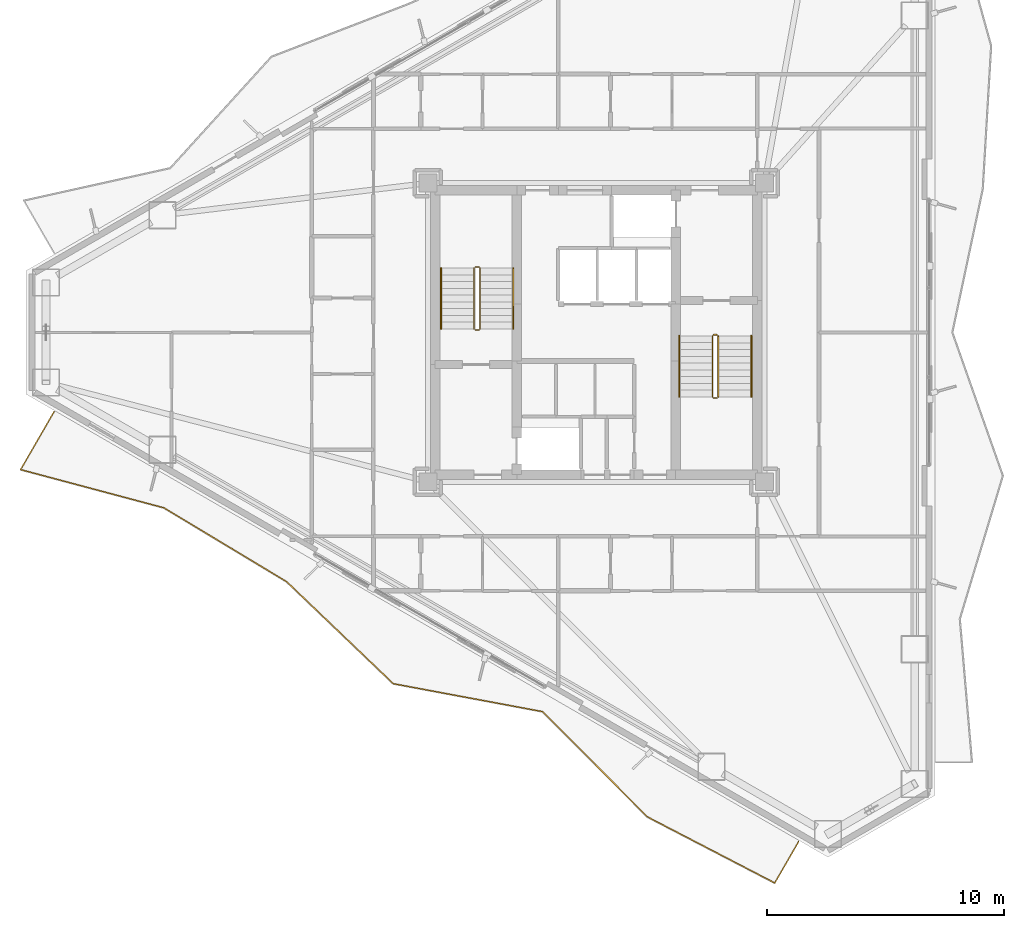
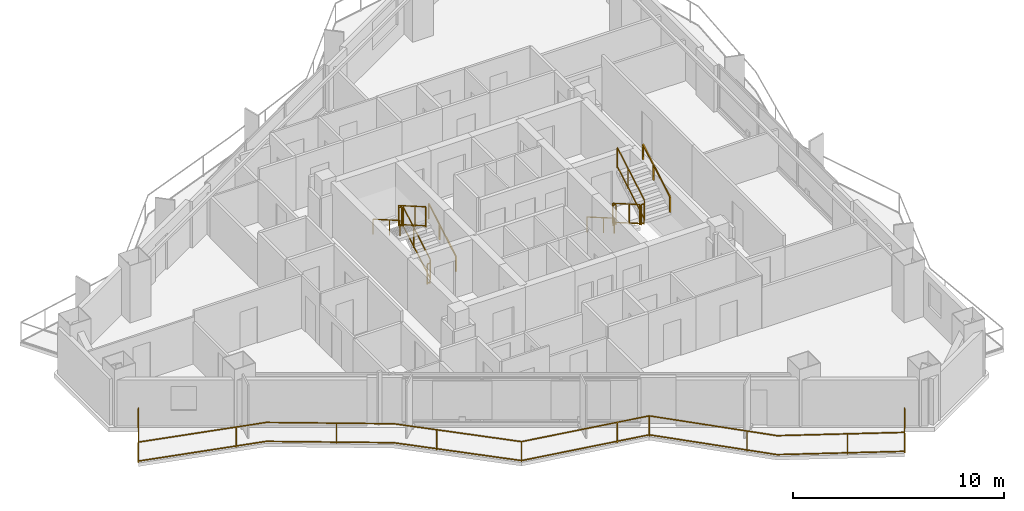
# One storey, part 21 of 22: 13 railings.
"""IFC4 building model written with IfcOpenShell, lengths in metres."""

import ifcopenshell
import ifcopenshell.guid

model = None  # the IFC model being written
_history = None  # IfcOwnerHistory: only IFC2X3 demands one
_inside = {}  # id of a spatial element -> (the spatial element, [elements in it])
_under = {}  # id of a project, library or spatial element -> (it, [spatial elements below it])
_declared = {}  # id of a project -> (the project, [libraries it declares])
_typed = {}  # id of a type object -> (the type object, [elements of that type])
_made_of = {}  # id of a material, layer set ... -> (it, [elements and type objects made of it])


def new_model(schema):
    """Start an empty IFC model of exactly this schema.

    Asked for "IFC4X3", IfcOpenShell would pick the latest addendum, in which some entities
    have other attributes; the version numbers below select the first issue.
    IFC2X3 requires an IfcOwnerHistory on every rooted entity: one is made here for all.
    """
    global model, _history
    if schema == "IFC4X3":
        model = ifcopenshell.file(schema_version=(4, 3, 0, 0))
    else:
        model = ifcopenshell.file(schema=schema)
    _inside.clear()
    _under.clear()
    _declared.clear()
    _typed.clear()
    _made_of.clear()
    _history = None
    if model.schema == "IFC2X3":
        org = make("IfcOrganization", Name="unknown")
        user = make(
            "IfcPersonAndOrganization",
            ThePerson=make("IfcPerson", FamilyName="unknown"),
            TheOrganization=org,
        )
        app = make(
            "IfcApplication",
            ApplicationDeveloper=org,
            Version="unknown",
            ApplicationFullName="unknown",
            ApplicationIdentifier="unknown",
        )
        _history = make(
            "IfcOwnerHistory",
            OwningUser=user,
            OwningApplication=app,
            ChangeAction="ADDED",
            CreationDate=0,
        )
    return model


def make(cls, **values):
    """One entity of the class cls with the attributes given. An attribute that is None is left unset."""
    return model.create_entity(
        cls, **{name: value for name, value in values.items() if value is not None}
    )


def rooted(cls, **values):
    """An entity with a GlobalId (a new one), such as an element, a storey or a relation."""
    return make(cls, GlobalId=ifcopenshell.guid.new(), OwnerHistory=_history, **values)


def si_unit(unit_type, name, prefix=None):
    """IfcSIUnit, for example si_unit("LENGTHUNIT", "METRE", prefix="MILLI")."""
    return make("IfcSIUnit", UnitType=unit_type, Prefix=prefix, Name=name)


def assignment(units):
    """IfcUnitAssignment: the units of a project."""
    return None if units is None else make("IfcUnitAssignment", Units=units)


def point(xyz):
    """IfcCartesianPoint."""
    return None if xyz is None else make("IfcCartesianPoint", Coordinates=xyz)


def direction(xyz):
    """IfcDirection."""
    return None if xyz is None else make("IfcDirection", DirectionRatios=xyz)


def frame(location, z_axis=None, x_axis=None):
    """IfcAxis2Placement3D, a coordinate frame: its origin and axes. An axis left out is left unset."""
    return make(
        "IfcAxis2Placement3D",
        Location=point(location),
        Axis=direction(z_axis),
        RefDirection=direction(x_axis),
    )


def frame_2d(location, x_axis=None):
    """IfcAxis2Placement2D, a coordinate frame in the plane: its origin and x axis."""
    return make(
        "IfcAxis2Placement2D", Location=point(location), RefDirection=direction(x_axis)
    )


def origin():
    """The frame at (0, 0, 0) with its axes left unset."""
    return frame((0.0, 0.0, 0.0))


def origin_2d():
    """The frame at (0, 0) in the plane with its x axis left unset."""
    return frame_2d((0.0, 0.0))


def place(relative_to, where):
    """IfcLocalPlacement: puts the frame where relative to a parent placement (None: the world)."""
    return make(
        "IfcLocalPlacement", PlacementRelTo=relative_to, RelativePlacement=where
    )


def context(
    kind, dimensions, precision=None, world=None, true_north=None, identifier=None
):
    """IfcGeometricRepresentationContext, for example the 3D "Model" context."""
    return make(
        "IfcGeometricRepresentationContext",
        ContextIdentifier=identifier,
        ContextType=kind,
        CoordinateSpaceDimension=dimensions,
        Precision=precision,
        WorldCoordinateSystem=world,
        TrueNorth=true_north,
    )


def subcontext(parent, identifier, kind, view, scale=None):
    """IfcGeometricRepresentationSubContext, for example "Body" below "Model"."""
    return make(
        "IfcGeometricRepresentationSubContext",
        ContextIdentifier=identifier,
        ContextType=kind,
        ParentContext=parent,
        TargetScale=scale,
        TargetView=view,
    )


def project(units=None, contexts=None):
    """IfcProject with its units and contexts."""
    return rooted(
        "IfcProject",
        Name="project",
        RepresentationContexts=contexts,
        UnitsInContext=assignment(units),
    )


def spatial(cls, under=None, at=None, **own):
    """A site, building, storey or space (cls), placed at a placement, below another one or the project."""
    s = rooted(cls, ObjectPlacement=at, **own)
    if under is not None:
        _under.setdefault(under.id(), (under, []))[1].append(s)
    return s


def profile(cls, at=None, kind="AREA", **sizes):
    """A parametric profile (cls). Its sizes go by their IFC names, for example OverallWidth=200.0."""
    return make(cls, ProfileType=kind, Position=at, **sizes)


def rectangle(**sizes):
    """IfcRectangleProfileDef."""
    return profile("IfcRectangleProfileDef", **sizes)


def extrude(swept, where, along, depth):
    """IfcExtrudedAreaSolid: the profile swept, set in the frame where, extruded along a direction by depth."""
    return make(
        "IfcExtrudedAreaSolid",
        SweptArea=swept,
        Position=where,
        ExtrudedDirection=direction(along),
        Depth=depth,
    )


def shape(context_of_items, identifier, shape_type, items):
    """IfcShapeRepresentation: the items that make up one representation, for example the "Body"."""
    return make(
        "IfcShapeRepresentation",
        ContextOfItems=context_of_items,
        RepresentationIdentifier=identifier,
        RepresentationType=shape_type,
        Items=items,
    )


def material(Name=None, Category=None):
    """IfcMaterial."""
    return make("IfcMaterial", Name=Name, Category=Category)


def made_of(thing, what):
    """Note that an element or type object is made of a material, layer set ...; save() writes the relation."""
    if what is not None:
        _made_of.setdefault(what.id(), (what, []))[1].append(thing)
    return thing


def type_object(cls, material=None, **own):
    """A type object (cls), such as IfcWallType, which elements share."""
    return made_of(rooted(cls, **own), material)


def element(
    cls,
    number,
    at=None,
    inside=None,
    cuts=None,
    type_object=None,
    material=None,
    context=None,
    identifier="Body",
    shape_type=None,
    held_by="IfcProductDefinitionShape",
    body=None,
    shapes=None,
    **own,
):
    """One element of the class cls, such as IfcWall. Its Tag is "e" and its number.

    at: its placement. inside: the storey or other place that contains it. cuts: it is an
    opening in that element (IfcRelVoidsElement). A single representation is given by context,
    identifier, shape_type and body (its items); several are given by shapes. held_by: the class
    of the entity that holds the representations. save() writes the other relations.
    """
    e = rooted(cls, Tag="e%d" % number, ObjectPlacement=at, **own)
    if body is not None:
        shapes = [shape(context, identifier, shape_type, body)]
    if shapes is not None:
        e.Representation = make(held_by, Representations=shapes)
    if inside is not None:
        _inside.setdefault(inside.id(), (inside, []))[1].append(e)
    if cuts is not None:
        rooted(
            "IfcRelVoidsElement", RelatingBuildingElement=cuts, RelatedOpeningElement=e
        )
    if type_object is not None:
        _typed.setdefault(type_object.id(), (type_object, []))[1].append(e)
    return made_of(e, material)


def aggregate(whole, parts):
    """IfcRelAggregates: a whole, such as a stair, and the parts it consists of."""
    return rooted("IfcRelAggregates", RelatingObject=whole, RelatedObjects=parts)


def save(model, path):
    """Write the relations noted so far, then the file.

    IfcRelAggregates (storeys below a building ...), IfcRelContainedInSpatialStructure (elements
    in a storey), IfcRelDefinesByType, IfcRelAssociatesMaterial and IfcRelDeclares: one each for
    every whole, place, type object, material and project.
    """
    for whole, parts in _under.values():
        aggregate(whole, parts)
    for where, things in _inside.values():
        rooted(
            "IfcRelContainedInSpatialStructure",
            RelatedElements=things,
            RelatingStructure=where,
        )
    for kind, things in _typed.values():
        rooted("IfcRelDefinesByType", RelatedObjects=things, RelatingType=kind)
    for what, things in _made_of.values():
        rooted("IfcRelAssociatesMaterial", RelatedObjects=things, RelatingMaterial=what)
    for by, libraries in _declared.values():
        rooted("IfcRelDeclares", RelatingContext=by, RelatedDefinitions=libraries)
    model.write(path)


model = new_model("IFC4")

# Units and contexts
model_context = context("Model", 3, precision=1e-05, world=origin(), true_north=direction((0.0, 1.0)))
body_context = subcontext(model_context, "Body", "Model", "MODEL_VIEW")
ifc_project = project(units=[si_unit("LENGTHUNIT", "METRE"), si_unit("AREAUNIT", "SQUARE_METRE"), si_unit("VOLUMEUNIT", "CUBIC_METRE"), si_unit("PLANEANGLEUNIT", "RADIAN"), si_unit("MASSUNIT", "GRAM", prefix="KILO")], contexts=[model_context])

# Site, building, storey
site_placement = place(None, origin())
site = spatial("IfcSite", under=ifc_project, at=site_placement, CompositionType="ELEMENT")
building_placement = place(site_placement, origin())
building = spatial("IfcBuilding", under=site, at=building_placement, Name="Mersakhor Tower and Convention Hall", CompositionType="ELEMENT")
storey_placement = place(building_placement, frame((0.0, 0.0, 99.89990234375)))
storey = spatial("IfcBuildingStorey", under=building, at=storey_placement, Name="L27", CompositionType="ELEMENT", Elevation=99.89990234375)

# Railings
ifc_material_1 = material(Name="Powder-coated galvanised steel and laminated glass balustrade", Category="steel")
railing_type_1 = type_object("IfcRailingType", Name="RL-BAL-1200", PredefinedType="BALUSTRADE", material=ifc_material_1)
railing_1_placement = place(storey_placement, frame((6.1240234375, 23.4052734375, 0.0)))
element("IfcRailing", 1, at=railing_1_placement, inside=storey, type_object=railing_type_1, Name="L27 Sinusoidal Balcony Balustrade F3", PredefinedType="BALUSTRADE", context=body_context, shape_type="SweptSolid", body=[
    extrude(rectangle(XDim=0.048095703125, YDim=0.048095703125, at=origin_2d()), frame((0.0, 0.0, 1.17578125), z_axis=(-0.499947271324, -0.866055844559, 0.0), x_axis=(0.866055844559, -0.499947271324, 0.0)), (0.0, 0.0, 1.0), 2.820068359375),
    extrude(rectangle(XDim=0.048095703125, YDim=0.048095703125, at=origin_2d()), frame((0.0, 0.0, 0.080078125), z_axis=(-0.499947271324, -0.866055844559, 0.0), x_axis=(0.866055844559, -0.499947271324, 0.0)), (0.0, 0.0, 1.0), 2.820068359375),
    extrude(rectangle(XDim=0.048095703125, YDim=0.048095703125, at=origin_2d()), frame((-1.409912109375, -2.4423828125, 1.17578125), z_axis=(0.966227820604, -0.25768934532, 0.0), x_axis=(0.25768934532, 0.966227820604, 0.0)), (0.0, 0.0, 1.0), 6.261474609375),
    extrude(rectangle(XDim=0.048095703125, YDim=0.048095703125, at=origin_2d()), frame((-1.409912109375, -2.4423828125, 0.080078125), z_axis=(0.966227820604, -0.25768934532, 0.0), x_axis=(0.25768934532, 0.966227820604, 0.0)), (0.0, 0.0, 1.0), 6.261474609375),
    extrude(rectangle(XDim=0.048095703125, YDim=0.048095703125, at=origin_2d()), frame((4.64013671875, -4.055908203125, 1.17578125), z_axis=(0.856754644688, -0.515724227475, 0.0), x_axis=(0.515724227475, 0.856754644688, 0.0)), (0.0, 0.0, 1.0), 6.047119140625),
    extrude(rectangle(XDim=0.048095703125, YDim=0.048095703125, at=origin_2d()), frame((4.64013671875, -4.055908203125, 0.080078125), z_axis=(0.856754644688, -0.515724227475, 0.0), x_axis=(0.515724227475, 0.856754644688, 0.0)), (0.0, 0.0, 1.0), 6.047119140625),
    extrude(rectangle(XDim=0.048095703125, YDim=0.048095703125, at=origin_2d()), frame((9.821044921875, -7.174560546875, 1.17578125), z_axis=(0.722699783625, -0.691162081387, 0.0), x_axis=(0.691162081387, 0.722699783625, 0.0)), (0.0, 0.0, 1.0), 6.223876953125),
    extrude(rectangle(XDim=0.048095703125, YDim=0.048095703125, at=origin_2d()), frame((9.821044921875, -7.174560546875, 0.080078125), z_axis=(0.722699783625, -0.691162081387, 0.0), x_axis=(0.691162081387, 0.722699783625, 0.0)), (0.0, 0.0, 1.0), 6.223876953125),
    extrude(rectangle(XDim=0.048095703125, YDim=0.048095703125, at=origin_2d()), frame((14.319091796875, -11.476318359375, 1.17578125), z_axis=(0.982934219197, -0.183957388357, 0.0), x_axis=(0.183957388357, 0.982934219197, 0.0)), (0.0, 0.0, 1.0), 6.41015625),
    extrude(rectangle(XDim=0.048095703125, YDim=0.048095703125, at=origin_2d()), frame((14.319091796875, -11.476318359375, 0.080078125), z_axis=(0.982934219197, -0.183957388357, 0.0), x_axis=(0.183957388357, 0.982934219197, 0.0)), (0.0, 0.0, 1.0), 6.41015625),
    extrude(rectangle(XDim=0.048095703125, YDim=0.048095703125, at=origin_2d()), frame((20.619873046875, -12.655517578125, 1.17578125), z_axis=(0.705389657667, -0.708819744968, 0.0), x_axis=(0.708819744968, 0.705389657667, 0.0)), (0.0, 0.0, 1.0), 6.263427734375),
    extrude(rectangle(XDim=0.048095703125, YDim=0.048095703125, at=origin_2d()), frame((20.619873046875, -12.655517578125, 0.080078125), z_axis=(0.705389657667, -0.708819744968, 0.0), x_axis=(0.708819744968, 0.705389657667, 0.0)), (0.0, 0.0, 1.0), 6.263427734375),
    extrude(rectangle(XDim=0.048095703125, YDim=0.048095703125, at=origin_2d()), frame((25.0380859375, -17.09521484375, 1.17578125), z_axis=(0.887664158638, -0.460491413024, 0.0), x_axis=(0.460491413024, 0.887664158638, 0.0)), (0.0, 0.0, 1.0), 6.052490234375),
    extrude(rectangle(XDim=0.048095703125, YDim=0.048095703125, at=origin_2d()), frame((25.0380859375, -17.09521484375, 0.080078125), z_axis=(0.887664158638, -0.460491413024, 0.0), x_axis=(0.460491413024, 0.887664158638, 0.0)), (0.0, 0.0, 1.0), 6.052490234375),
    extrude(rectangle(XDim=0.048095703125, YDim=0.048095703125, at=origin_2d()), frame((30.41064453125, -19.88232421875, 1.17578125), z_axis=(0.499960381356, 0.866048276411, 0.0), x_axis=(-0.866048276411, 0.499960381356, 0.0)), (0.0, 0.0, 1.0), 2.013427734375),
    extrude(rectangle(XDim=0.048095703125, YDim=0.048095703125, at=origin_2d()), frame((30.41064453125, -19.88232421875, 0.080078125), z_axis=(0.499960381356, 0.866048276411, 0.0), x_axis=(-0.866048276411, 0.499960381356, 0.0)), (0.0, 0.0, 1.0), 2.013427734375),
    extrude(rectangle(XDim=0.0419921875, YDim=0.0419921875, at=origin_2d()), origin(), (0.0, 0.0, 1.0), 1.15185546875),
    extrude(rectangle(XDim=0.0419921875, YDim=0.0419921875, at=origin_2d()), frame((-1.409912109375, -2.4423828125, 0.0)), (0.0, 0.0, 1.0), 1.15185546875),
    extrude(rectangle(XDim=0.0419921875, YDim=0.0419921875, at=origin_2d()), frame((3.22802734375, -3.67919921875, 0.0)), (0.0, 0.0, 1.0), 1.15185546875),
    extrude(rectangle(XDim=0.0419921875, YDim=0.0419921875, at=origin_2d()), frame((7.50048828125, -5.777587890625, 0.0)), (0.0, 0.0, 1.0), 1.15185546875),
    extrude(rectangle(XDim=0.0419921875, YDim=0.0419921875, at=origin_2d()), frame((11.33251953125, -8.6201171875, 0.0)), (0.0, 0.0, 1.0), 1.15185546875),
    extrude(rectangle(XDim=0.0419921875, YDim=0.0419921875, at=origin_2d()), frame((14.319091796875, -11.476318359375, 0.0)), (0.0, 0.0, 1.0), 1.15185546875),
    extrude(rectangle(XDim=0.0419921875, YDim=0.0419921875, at=origin_2d()), frame((19.037109375, -12.359375, 0.0)), (0.0, 0.0, 1.0), 1.15185546875),
    extrude(rectangle(XDim=0.0419921875, YDim=0.0419921875, at=origin_2d()), frame((20.619873046875, -12.655517578125, 0.0)), (0.0, 0.0, 1.0), 1.15185546875),
    extrude(rectangle(XDim=0.0419921875, YDim=0.0419921875, at=origin_2d()), frame((24.005859375, -16.057861328125, 0.0)), (0.0, 0.0, 1.0), 1.15185546875),
    extrude(rectangle(XDim=0.0419921875, YDim=0.0419921875, at=origin_2d()), frame((27.999755859375, -18.631591796875, 0.0)), (0.0, 0.0, 1.0), 1.15185546875),
    extrude(rectangle(XDim=0.0419921875, YDim=0.0419921875, at=origin_2d()), frame((30.41064453125, -19.88232421875, 0.0)), (0.0, 0.0, 1.0), 1.15185546875),
    extrude(rectangle(XDim=0.0419921875, YDim=0.0419921875, at=origin_2d()), frame((31.417236328125, -18.138671875, 0.0)), (0.0, 0.0, 1.0), 1.15185546875),
])
ifc_material_2 = material(Name="Brushed stainless steel handrail", Category="steel")
railing_type_2 = type_object("IfcRailingType", Name="RL-HR-900", PredefinedType="HANDRAIL", material=ifc_material_2)
railing_2_placement = place(storey_placement, frame((25.5, 26.89990234375, 0.1650390625)))
element("IfcRailing", 2, at=railing_2_placement, inside=storey, type_object=railing_type_2, Name="L27 ST-1 stair handrail 1", PredefinedType="HANDRAIL", context=body_context, shape_type="SweptSolid", body=[
    extrude(rectangle(XDim=0.048095703125, YDim=0.048095703125, at=origin_2d()), frame((0.0, 0.0, 0.8759765625), z_axis=(0.0, 0.865426285481, 0.501036270542), x_axis=(-1.0, 0.0, 0.0)), (0.0, 0.0, 1.0), 2.964111328125),
    extrude(rectangle(XDim=0.0419921875, YDim=0.0419921875, at=origin_2d()), origin(), (0.0, 0.0, 1.0), 0.851806640625),
    extrude(rectangle(XDim=0.0419921875, YDim=0.0419921875, at=origin_2d()), frame((0.0, 1.557861328125, 0.90185546875)), (0.0, 0.0, 1.0), 0.851806640625),
    extrude(rectangle(XDim=0.0419921875, YDim=0.0419921875, at=origin_2d()), frame((0.0, 2.565185546875, 1.485107421875)), (0.0, 0.0, 1.0), 0.851806640625),
])
railing_3_placement = place(storey_placement, frame((22.449951171875, 29.465087890625, 1.815185546875)))
element("IfcRailing", 3, at=railing_3_placement, inside=storey, type_object=railing_type_2, Name="L27 ST-1 stair handrail 2", PredefinedType="HANDRAIL", context=body_context, shape_type="SweptSolid", body=[
    extrude(rectangle(XDim=0.048095703125, YDim=0.048095703125, at=origin_2d()), frame((0.0, 0.0, 0.8759765625), z_axis=(0.0, -0.865461999751, 0.500974577186), x_axis=(1.0, 0.0, 0.0)), (0.0, 0.0, 1.0), 2.9638671875),
    extrude(rectangle(XDim=0.0419921875, YDim=0.0419921875, at=origin_2d()), origin(), (0.0, 0.0, 1.0), 0.851806640625),
    extrude(rectangle(XDim=0.0419921875, YDim=0.0419921875, at=origin_2d()), frame((0.0, -1.557861328125, 0.90185546875)), (0.0, 0.0, 1.0), 0.851806640625),
    extrude(rectangle(XDim=0.0419921875, YDim=0.0419921875, at=origin_2d()), frame((0.0, -2.565185546875, 1.48486328125)), (0.0, 0.0, 1.0), 0.851806640625),
])
railing_4_placement = place(storey_placement, frame((32.5, 26.60009765625, 0.1650390625)))
element("IfcRailing", 4, at=railing_4_placement, inside=storey, type_object=railing_type_2, Name="L27 ST-2 stair handrail 1", PredefinedType="HANDRAIL", context=body_context, shape_type="SweptSolid", body=[
    extrude(rectangle(XDim=0.048095703125, YDim=0.048095703125, at=origin_2d()), frame((0.0, 0.0, 0.8759765625), z_axis=(0.0, -0.865426285481, 0.501036270542), x_axis=(1.0, 0.0, 0.0)), (0.0, 0.0, 1.0), 2.964111328125),
    extrude(rectangle(XDim=0.0419921875, YDim=0.0419921875, at=origin_2d()), origin(), (0.0, 0.0, 1.0), 0.851806640625),
    extrude(rectangle(XDim=0.0419921875, YDim=0.0419921875, at=origin_2d()), frame((0.0, -1.557861328125, 0.90185546875)), (0.0, 0.0, 1.0), 0.851806640625),
    extrude(rectangle(XDim=0.0419921875, YDim=0.0419921875, at=origin_2d()), frame((0.0, -2.565185546875, 1.485107421875)), (0.0, 0.0, 1.0), 0.851806640625),
])
railing_5_placement = place(storey_placement, frame((35.550048828125, 24.034912109375, 1.815185546875)))
element("IfcRailing", 5, at=railing_5_placement, inside=storey, type_object=railing_type_2, Name="L27 ST-2 stair handrail 2", PredefinedType="HANDRAIL", context=body_context, shape_type="SweptSolid", body=[
    extrude(rectangle(XDim=0.048095703125, YDim=0.048095703125, at=origin_2d()), frame((0.0, 0.0, 0.8759765625), z_axis=(0.0, 0.865461999751, 0.500974577186), x_axis=(-1.0, 0.0, 0.0)), (0.0, 0.0, 1.0), 2.9638671875),
    extrude(rectangle(XDim=0.0419921875, YDim=0.0419921875, at=origin_2d()), origin(), (0.0, 0.0, 1.0), 0.851806640625),
    extrude(rectangle(XDim=0.0419921875, YDim=0.0419921875, at=origin_2d()), frame((0.0, 1.557861328125, 0.90185546875)), (0.0, 0.0, 1.0), 0.851806640625),
    extrude(rectangle(XDim=0.0419921875, YDim=0.0419921875, at=origin_2d()), frame((0.0, 2.565185546875, 1.48486328125)), (0.0, 0.0, 1.0), 0.851806640625),
])
ifc_material_3 = material(Name="Painted steel stair balustrade S355", Category="steel")
railing_type_3 = type_object("IfcRailingType", Name="RL-STG-1200", PredefinedType="BALUSTRADE", material=ifc_material_3)
railing_6_placement = place(storey_placement, frame((24.10009765625, 26.89990234375, 0.1650390625)))
element("IfcRailing", 6, at=railing_6_placement, inside=storey, type_object=railing_type_3, Name="L27 ST-1 stair guard 1", PredefinedType="BALUSTRADE", context=body_context, shape_type="SweptSolid", body=[
    extrude(rectangle(XDim=0.048095703125, YDim=0.048095703125, at=origin_2d()), frame((0.0, 0.0, 1.17578125), z_axis=(0.0, 0.865426285481, 0.501036270542), x_axis=(-1.0, 0.0, 0.0)), (0.0, 0.0, 1.0), 2.964111328125),
    extrude(rectangle(XDim=0.048095703125, YDim=0.048095703125, at=origin_2d()), frame((0.0, 0.0, 0.080078125), z_axis=(0.0, 0.865426285481, 0.501036270542), x_axis=(-1.0, 0.0, 0.0)), (0.0, 0.0, 1.0), 2.964111328125),
    extrude(rectangle(XDim=0.0419921875, YDim=0.0419921875, at=origin_2d()), origin(), (0.0, 0.0, 1.0), 1.15185546875),
    extrude(rectangle(XDim=0.0419921875, YDim=0.0419921875, at=origin_2d()), frame((0.0, 1.557861328125, 0.90185546875)), (0.0, 0.0, 1.0), 1.15185546875),
    extrude(rectangle(XDim=0.0419921875, YDim=0.0419921875, at=origin_2d()), frame((0.0, 2.565185546875, 1.485107421875)), (0.0, 0.0, 1.0), 1.15185546875),
])
railing_7_placement = place(storey_placement, frame((24.050048828125, 29.514892578125, 1.650146484375)))
element("IfcRailing", 7, at=railing_7_placement, inside=storey, type_object=railing_type_3, Name="L27 ST-1 stair guard 2", PredefinedType="BALUSTRADE", context=body_context, shape_type="SweptSolid", body=[
    extrude(rectangle(XDim=0.048095703125, YDim=0.048095703125, at=origin_2d()), frame((0.0, 0.0, 1.17578125), z_axis=(-1.0, 0.0, 0.0), x_axis=(0.0, -1.0, 0.0)), (0.0, 0.0, 1.0), 0.150146484375),
    extrude(rectangle(XDim=0.048095703125, YDim=0.048095703125, at=origin_2d()), frame((0.0, 0.0, 0.080078125), z_axis=(-1.0, 0.0, 0.0), x_axis=(0.0, -1.0, 0.0)), (0.0, 0.0, 1.0), 0.150146484375),
    extrude(rectangle(XDim=0.0419921875, YDim=0.0419921875, at=origin_2d()), origin(), (0.0, 0.0, 1.0), 1.15185546875),
    extrude(rectangle(XDim=0.0419921875, YDim=0.0419921875, at=origin_2d()), frame((-0.150146484375, 0.0, 0.0)), (0.0, 0.0, 1.0), 1.15185546875),
])
railing_8_placement = place(storey_placement, frame((23.85009765625, 29.465087890625, 1.815185546875)))
element("IfcRailing", 8, at=railing_8_placement, inside=storey, type_object=railing_type_3, Name="L27 ST-1 stair guard 3", PredefinedType="BALUSTRADE", context=body_context, shape_type="SweptSolid", body=[
    extrude(rectangle(XDim=0.048095703125, YDim=0.048095703125, at=origin_2d()), frame((0.0, 0.0, 1.17578125), z_axis=(0.0, -0.865461999751, 0.500974577186), x_axis=(1.0, 0.0, 0.0)), (0.0, 0.0, 1.0), 2.9638671875),
    extrude(rectangle(XDim=0.048095703125, YDim=0.048095703125, at=origin_2d()), frame((0.0, 0.0, 0.080078125), z_axis=(0.0, -0.865461999751, 0.500974577186), x_axis=(1.0, 0.0, 0.0)), (0.0, 0.0, 1.0), 2.9638671875),
    extrude(rectangle(XDim=0.0419921875, YDim=0.0419921875, at=origin_2d()), origin(), (0.0, 0.0, 1.0), 1.15185546875),
    extrude(rectangle(XDim=0.0419921875, YDim=0.0419921875, at=origin_2d()), frame((0.0, -1.557861328125, 0.90185546875)), (0.0, 0.0, 1.0), 1.15185546875),
    extrude(rectangle(XDim=0.0419921875, YDim=0.0419921875, at=origin_2d()), frame((0.0, -2.565185546875, 1.48486328125)), (0.0, 0.0, 1.0), 1.15185546875),
])
railing_9_placement = place(storey_placement, frame((24.050048828125, 26.85009765625, 0.0)))
element("IfcRailing", 9, at=railing_9_placement, inside=storey, type_object=railing_type_3, Name="L27 ST-1 stair guard 4", PredefinedType="BALUSTRADE", context=body_context, shape_type="SweptSolid", body=[
    extrude(rectangle(XDim=0.048095703125, YDim=0.048095703125, at=origin_2d()), frame((0.0, 0.0, 1.17578125), z_axis=(-1.0, 0.0, 0.0), x_axis=(0.0, -1.0, 0.0)), (0.0, 0.0, 1.0), 0.150146484375),
    extrude(rectangle(XDim=0.048095703125, YDim=0.048095703125, at=origin_2d()), frame((0.0, 0.0, 0.080078125), z_axis=(-1.0, 0.0, 0.0), x_axis=(0.0, -1.0, 0.0)), (0.0, 0.0, 1.0), 0.150146484375),
    extrude(rectangle(XDim=0.0419921875, YDim=0.0419921875, at=origin_2d()), origin(), (0.0, 0.0, 1.0), 1.15185546875),
    extrude(rectangle(XDim=0.0419921875, YDim=0.0419921875, at=origin_2d()), frame((-0.150146484375, 0.0, 0.0)), (0.0, 0.0, 1.0), 1.15185546875),
])
railing_10_placement = place(storey_placement, frame((33.89990234375, 26.60009765625, 0.1650390625)))
element("IfcRailing", 10, at=railing_10_placement, inside=storey, type_object=railing_type_3, Name="L27 ST-2 stair guard 1", PredefinedType="BALUSTRADE", context=body_context, shape_type="SweptSolid", body=[
    extrude(rectangle(XDim=0.048095703125, YDim=0.048095703125, at=origin_2d()), frame((0.0, 0.0, 1.17578125), z_axis=(0.0, -0.865426285481, 0.501036270542), x_axis=(1.0, 0.0, 0.0)), (0.0, 0.0, 1.0), 2.964111328125),
    extrude(rectangle(XDim=0.048095703125, YDim=0.048095703125, at=origin_2d()), frame((0.0, 0.0, 0.080078125), z_axis=(0.0, -0.865426285481, 0.501036270542), x_axis=(1.0, 0.0, 0.0)), (0.0, 0.0, 1.0), 2.964111328125),
    extrude(rectangle(XDim=0.0419921875, YDim=0.0419921875, at=origin_2d()), origin(), (0.0, 0.0, 1.0), 1.15185546875),
    extrude(rectangle(XDim=0.0419921875, YDim=0.0419921875, at=origin_2d()), frame((0.0, -1.557861328125, 0.90185546875)), (0.0, 0.0, 1.0), 1.15185546875),
    extrude(rectangle(XDim=0.0419921875, YDim=0.0419921875, at=origin_2d()), frame((0.0, -2.565185546875, 1.485107421875)), (0.0, 0.0, 1.0), 1.15185546875),
])
railing_11_placement = place(storey_placement, frame((33.949951171875, 23.985107421875, 1.650146484375)))
element("IfcRailing", 11, at=railing_11_placement, inside=storey, type_object=railing_type_3, Name="L27 ST-2 stair guard 2", PredefinedType="BALUSTRADE", context=body_context, shape_type="SweptSolid", body=[
    extrude(rectangle(XDim=0.048095703125, YDim=0.048095703125, at=origin_2d()), frame((0.0, 0.0, 1.17578125), z_axis=(1.0, 0.0, 0.0), x_axis=(0.0, 1.0, 0.0)), (0.0, 0.0, 1.0), 0.150146484375),
    extrude(rectangle(XDim=0.048095703125, YDim=0.048095703125, at=origin_2d()), frame((0.0, 0.0, 0.080078125), z_axis=(1.0, 0.0, 0.0), x_axis=(0.0, 1.0, 0.0)), (0.0, 0.0, 1.0), 0.150146484375),
    extrude(rectangle(XDim=0.0419921875, YDim=0.0419921875, at=origin_2d()), origin(), (0.0, 0.0, 1.0), 1.15185546875),
    extrude(rectangle(XDim=0.0419921875, YDim=0.0419921875, at=origin_2d()), frame((0.150146484375, 0.0, 0.0)), (0.0, 0.0, 1.0), 1.15185546875),
])
railing_12_placement = place(storey_placement, frame((34.14990234375, 24.034912109375, 1.815185546875)))
element("IfcRailing", 12, at=railing_12_placement, inside=storey, type_object=railing_type_3, Name="L27 ST-2 stair guard 3", PredefinedType="BALUSTRADE", context=body_context, shape_type="SweptSolid", body=[
    extrude(rectangle(XDim=0.048095703125, YDim=0.048095703125, at=origin_2d()), frame((0.0, 0.0, 1.17578125), z_axis=(0.0, 0.865461999751, 0.500974577186), x_axis=(-1.0, 0.0, 0.0)), (0.0, 0.0, 1.0), 2.9638671875),
    extrude(rectangle(XDim=0.048095703125, YDim=0.048095703125, at=origin_2d()), frame((0.0, 0.0, 0.080078125), z_axis=(0.0, 0.865461999751, 0.500974577186), x_axis=(-1.0, 0.0, 0.0)), (0.0, 0.0, 1.0), 2.9638671875),
    extrude(rectangle(XDim=0.0419921875, YDim=0.0419921875, at=origin_2d()), origin(), (0.0, 0.0, 1.0), 1.15185546875),
    extrude(rectangle(XDim=0.0419921875, YDim=0.0419921875, at=origin_2d()), frame((0.0, 1.557861328125, 0.90185546875)), (0.0, 0.0, 1.0), 1.15185546875),
    extrude(rectangle(XDim=0.0419921875, YDim=0.0419921875, at=origin_2d()), frame((0.0, 2.565185546875, 1.48486328125)), (0.0, 0.0, 1.0), 1.15185546875),
])
railing_13_placement = place(storey_placement, frame((33.949951171875, 26.64990234375, 0.0)))
element("IfcRailing", 13, at=railing_13_placement, inside=storey, type_object=railing_type_3, Name="L27 ST-2 stair guard 4", PredefinedType="BALUSTRADE", context=body_context, shape_type="SweptSolid", body=[
    extrude(rectangle(XDim=0.048095703125, YDim=0.048095703125, at=origin_2d()), frame((0.0, 0.0, 1.17578125), z_axis=(1.0, 0.0, 0.0), x_axis=(0.0, 1.0, 0.0)), (0.0, 0.0, 1.0), 0.150146484375),
    extrude(rectangle(XDim=0.048095703125, YDim=0.048095703125, at=origin_2d()), frame((0.0, 0.0, 0.080078125), z_axis=(1.0, 0.0, 0.0), x_axis=(0.0, 1.0, 0.0)), (0.0, 0.0, 1.0), 0.150146484375),
    extrude(rectangle(XDim=0.0419921875, YDim=0.0419921875, at=origin_2d()), origin(), (0.0, 0.0, 1.0), 1.15185546875),
    extrude(rectangle(XDim=0.0419921875, YDim=0.0419921875, at=origin_2d()), frame((0.150146484375, 0.0, 0.0)), (0.0, 0.0, 1.0), 1.15185546875),
])

save(model, "model.ifc")
